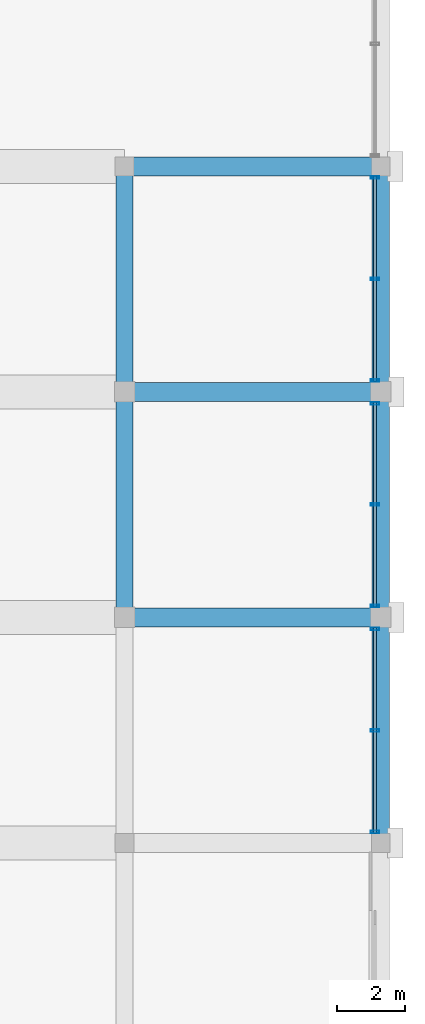
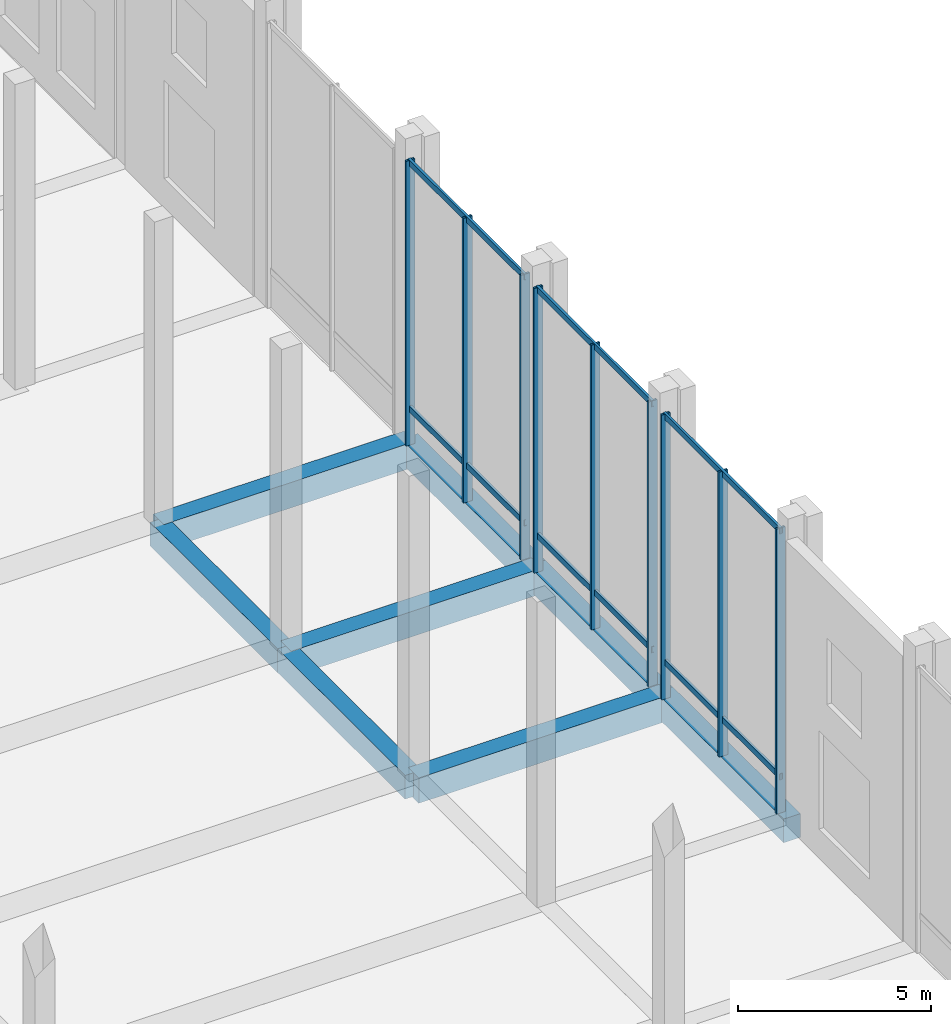
# One storey, part 49 of 80: 15 members, 8 beams, 3 elements without a shape of their own.
"""IFC4 building model written with IfcOpenShell, lengths in metres."""

import ifcopenshell
import ifcopenshell.guid

model = None  # the IFC model being written
_history = None  # IfcOwnerHistory: only IFC2X3 demands one
_inside = {}  # id of a spatial element -> (the spatial element, [elements in it])
_under = {}  # id of a project, library or spatial element -> (it, [spatial elements below it])
_declared = {}  # id of a project -> (the project, [libraries it declares])
_typed = {}  # id of a type object -> (the type object, [elements of that type])
_made_of = {}  # id of a material, layer set ... -> (it, [elements and type objects made of it])


def new_model(schema):
    """Start an empty IFC model of exactly this schema.

    Asked for "IFC4X3", IfcOpenShell would pick the latest addendum, in which some entities
    have other attributes; the version numbers below select the first issue.
    IFC2X3 requires an IfcOwnerHistory on every rooted entity: one is made here for all.
    """
    global model, _history
    if schema == "IFC4X3":
        model = ifcopenshell.file(schema_version=(4, 3, 0, 0))
    else:
        model = ifcopenshell.file(schema=schema)
    _inside.clear()
    _under.clear()
    _declared.clear()
    _typed.clear()
    _made_of.clear()
    _history = None
    if model.schema == "IFC2X3":
        org = make("IfcOrganization", Name="unknown")
        user = make(
            "IfcPersonAndOrganization",
            ThePerson=make("IfcPerson", FamilyName="unknown"),
            TheOrganization=org,
        )
        app = make(
            "IfcApplication",
            ApplicationDeveloper=org,
            Version="unknown",
            ApplicationFullName="unknown",
            ApplicationIdentifier="unknown",
        )
        _history = make(
            "IfcOwnerHistory",
            OwningUser=user,
            OwningApplication=app,
            ChangeAction="ADDED",
            CreationDate=0,
        )
    return model


def make(cls, **values):
    """One entity of the class cls with the attributes given. An attribute that is None is left unset."""
    return model.create_entity(
        cls, **{name: value for name, value in values.items() if value is not None}
    )


def rooted(cls, **values):
    """An entity with a GlobalId (a new one), such as an element, a storey or a relation."""
    return make(cls, GlobalId=ifcopenshell.guid.new(), OwnerHistory=_history, **values)


def si_unit(unit_type, name, prefix=None):
    """IfcSIUnit, for example si_unit("LENGTHUNIT", "METRE", prefix="MILLI")."""
    return make("IfcSIUnit", UnitType=unit_type, Prefix=prefix, Name=name)


def assignment(units):
    """IfcUnitAssignment: the units of a project."""
    return None if units is None else make("IfcUnitAssignment", Units=units)


def point(xyz):
    """IfcCartesianPoint."""
    return None if xyz is None else make("IfcCartesianPoint", Coordinates=xyz)


def direction(xyz):
    """IfcDirection."""
    return None if xyz is None else make("IfcDirection", DirectionRatios=xyz)


def frame(location, z_axis=None, x_axis=None):
    """IfcAxis2Placement3D, a coordinate frame: its origin and axes. An axis left out is left unset."""
    return make(
        "IfcAxis2Placement3D",
        Location=point(location),
        Axis=direction(z_axis),
        RefDirection=direction(x_axis),
    )


def frame_2d(location, x_axis=None):
    """IfcAxis2Placement2D, a coordinate frame in the plane: its origin and x axis."""
    return make(
        "IfcAxis2Placement2D", Location=point(location), RefDirection=direction(x_axis)
    )


def origin():
    """The frame at (0, 0, 0) with its axes left unset."""
    return frame((0.0, 0.0, 0.0))


def origin_2d():
    """The frame at (0, 0) in the plane with its x axis left unset."""
    return frame_2d((0.0, 0.0))


def place(relative_to, where):
    """IfcLocalPlacement: puts the frame where relative to a parent placement (None: the world)."""
    return make(
        "IfcLocalPlacement", PlacementRelTo=relative_to, RelativePlacement=where
    )


def context(
    kind, dimensions, precision=None, world=None, true_north=None, identifier=None
):
    """IfcGeometricRepresentationContext, for example the 3D "Model" context."""
    return make(
        "IfcGeometricRepresentationContext",
        ContextIdentifier=identifier,
        ContextType=kind,
        CoordinateSpaceDimension=dimensions,
        Precision=precision,
        WorldCoordinateSystem=world,
        TrueNorth=true_north,
    )


def subcontext(parent, identifier, kind, view, scale=None):
    """IfcGeometricRepresentationSubContext, for example "Body" below "Model"."""
    return make(
        "IfcGeometricRepresentationSubContext",
        ContextIdentifier=identifier,
        ContextType=kind,
        ParentContext=parent,
        TargetScale=scale,
        TargetView=view,
    )


def project(units=None, contexts=None):
    """IfcProject with its units and contexts."""
    return rooted(
        "IfcProject",
        Name="project",
        RepresentationContexts=contexts,
        UnitsInContext=assignment(units),
    )


def spatial(cls, under=None, at=None, **own):
    """A site, building, storey or space (cls), placed at a placement, below another one or the project."""
    s = rooted(cls, ObjectPlacement=at, **own)
    if under is not None:
        _under.setdefault(under.id(), (under, []))[1].append(s)
    return s


def profile(cls, at=None, kind="AREA", **sizes):
    """A parametric profile (cls). Its sizes go by their IFC names, for example OverallWidth=200.0."""
    return make(cls, ProfileType=kind, Position=at, **sizes)


def rectangle(**sizes):
    """IfcRectangleProfileDef."""
    return profile("IfcRectangleProfileDef", **sizes)


def hollow_rectangle(**sizes):
    """IfcRectangleHollowProfileDef."""
    return profile("IfcRectangleHollowProfileDef", **sizes)


def extrude(swept, where, along, depth):
    """IfcExtrudedAreaSolid: the profile swept, set in the frame where, extruded along a direction by depth."""
    return make(
        "IfcExtrudedAreaSolid",
        SweptArea=swept,
        Position=where,
        ExtrudedDirection=direction(along),
        Depth=depth,
    )


def shape(context_of_items, identifier, shape_type, items):
    """IfcShapeRepresentation: the items that make up one representation, for example the "Body"."""
    return make(
        "IfcShapeRepresentation",
        ContextOfItems=context_of_items,
        RepresentationIdentifier=identifier,
        RepresentationType=shape_type,
        Items=items,
    )


def material(Name=None, Category=None):
    """IfcMaterial."""
    return make("IfcMaterial", Name=Name, Category=Category)


def material_profile(
    of_material, cross_section, Name=None, Category=None, Priority=None
):
    """IfcMaterialProfile: a cross section and its material."""
    return make(
        "IfcMaterialProfile",
        Name=Name,
        Material=of_material,
        Profile=cross_section,
        Priority=Priority,
        Category=Category,
    )


def profile_set(profiles, Name=None, composite=None):
    """IfcMaterialProfileSet."""
    return make(
        "IfcMaterialProfileSet",
        Name=Name,
        MaterialProfiles=profiles,
        CompositeProfile=composite,
    )


def made_of(thing, what):
    """Note that an element or type object is made of a material, layer set ...; save() writes the relation."""
    if what is not None:
        _made_of.setdefault(what.id(), (what, []))[1].append(thing)
    return thing


def type_object(cls, material=None, **own):
    """A type object (cls), such as IfcWallType, which elements share."""
    return made_of(rooted(cls, **own), material)


def element(
    cls,
    number,
    at=None,
    inside=None,
    cuts=None,
    type_object=None,
    material=None,
    context=None,
    identifier="Body",
    shape_type=None,
    held_by="IfcProductDefinitionShape",
    body=None,
    shapes=None,
    **own,
):
    """One element of the class cls, such as IfcWall. Its Tag is "e" and its number.

    at: its placement. inside: the storey or other place that contains it. cuts: it is an
    opening in that element (IfcRelVoidsElement). A single representation is given by context,
    identifier, shape_type and body (its items); several are given by shapes. held_by: the class
    of the entity that holds the representations. save() writes the other relations.
    """
    e = rooted(cls, Tag="e%d" % number, ObjectPlacement=at, **own)
    if body is not None:
        shapes = [shape(context, identifier, shape_type, body)]
    if shapes is not None:
        e.Representation = make(held_by, Representations=shapes)
    if inside is not None:
        _inside.setdefault(inside.id(), (inside, []))[1].append(e)
    if cuts is not None:
        rooted(
            "IfcRelVoidsElement", RelatingBuildingElement=cuts, RelatedOpeningElement=e
        )
    if type_object is not None:
        _typed.setdefault(type_object.id(), (type_object, []))[1].append(e)
    return made_of(e, material)


def aggregate(whole, parts):
    """IfcRelAggregates: a whole, such as a stair, and the parts it consists of."""
    return rooted("IfcRelAggregates", RelatingObject=whole, RelatedObjects=parts)


def save(model, path):
    """Write the relations noted so far, then the file.

    IfcRelAggregates (storeys below a building ...), IfcRelContainedInSpatialStructure (elements
    in a storey), IfcRelDefinesByType, IfcRelAssociatesMaterial and IfcRelDeclares: one each for
    every whole, place, type object, material and project.
    """
    for whole, parts in _under.values():
        aggregate(whole, parts)
    for where, things in _inside.values():
        rooted(
            "IfcRelContainedInSpatialStructure",
            RelatedElements=things,
            RelatingStructure=where,
        )
    for kind, things in _typed.values():
        rooted("IfcRelDefinesByType", RelatedObjects=things, RelatingType=kind)
    for what, things in _made_of.values():
        rooted("IfcRelAssociatesMaterial", RelatedObjects=things, RelatingMaterial=what)
    for by, libraries in _declared.values():
        rooted("IfcRelDeclares", RelatingContext=by, RelatedDefinitions=libraries)
    model.write(path)


model = new_model("IFC4")

# Units and contexts
model_context = context("Model", 3, precision=1e-05, world=origin(), true_north=direction((0.0, 1.0)))
body_context = subcontext(model_context, "Body", "Model", "MODEL_VIEW")
ifc_project = project(units=[si_unit("LENGTHUNIT", "METRE"), si_unit("AREAUNIT", "SQUARE_METRE"), si_unit("VOLUMEUNIT", "CUBIC_METRE"), si_unit("PLANEANGLEUNIT", "RADIAN"), si_unit("MASSUNIT", "GRAM", prefix="KILO")], contexts=[model_context])

# Site, building, storey
site_placement = place(None, origin())
site = spatial("IfcSite", under=ifc_project, at=site_placement, CompositionType="ELEMENT")
building_placement = place(site_placement, origin())
building = spatial("IfcBuilding", under=site, at=building_placement, Name="Akrevak Sports Hall", CompositionType="ELEMENT")
storey_placement = place(building_placement, frame((0.0, 0.0, 14.0)))
storey = spatial("IfcBuildingStorey", under=building, at=storey_placement, Name="L03", CompositionType="ELEMENT", Elevation=14.0)

# Curtain wall, members
ifc_material_1 = material(Name="Anodized Bronze Aluminium & Low-E Glass", Category="aluminium")
curtain_wall_type = type_object("IfcCurtainWallType", Name="ARC-CW-POD-64x94", PredefinedType="NOTDEFINED", material=ifc_material_1)
curtain_wall_1_placement = place(storey_placement, origin())
curtain_wall_1 = element("IfcCurtainWall", 1, at=curtain_wall_1_placement, inside=storey, type_object=curtain_wall_type, Name="Curtain Wall CW-L03-E06", PredefinedType="NOTDEFINED")
ifc_material_2 = material(Name="Anodized Bronze Aluminium", Category="aluminium")
ifc_material_profile_1 = material_profile(ifc_material_2, hollow_rectangle(XDim=0.074951171875, YDim=0.260009765625, WallThickness=0.0048828125, at=origin_2d()), Name="CWM 75x260", Category="aluminium")
ifc_profile_set_1 = profile_set([ifc_material_profile_1], Name="Anodized Bronze Aluminium")
member_type_1 = type_object("IfcMemberType", Name="ARC-CWM-80x180", PredefinedType="MULLION", material=ifc_profile_set_1)
member_1_placement = place(storey_placement, frame((167.830078125, 35.715087890625, 0.0), z_axis=(0.0, 0.0, 1.0), x_axis=(0.0, 1.0, 0.0)))
member_1 = element("IfcMember", 2, at=member_1_placement, type_object=member_type_1, Name="Curtain Wall Mullion CW-L03-E06-M1", PredefinedType="MULLION", context=body_context, shape_type="SweptSolid", body=[
    extrude(hollow_rectangle(XDim=0.074951171875, YDim=0.260009765625, WallThickness=0.0048828125, at=origin_2d()), origin(), (0.0, 0.0, 1.0), 9.0),
])
member_2_placement = place(storey_placement, frame((167.830078125, 38.6875, 0.0), z_axis=(0.0, 0.0, 1.0), x_axis=(0.0, 1.0, 0.0)))
member_2 = element("IfcMember", 3, at=member_2_placement, type_object=member_type_1, Name="Curtain Wall Mullion CW-L03-E06-M2", PredefinedType="MULLION", context=body_context, shape_type="SweptSolid", body=[
    extrude(hollow_rectangle(XDim=0.074951171875, YDim=0.260009765625, WallThickness=0.0048828125, at=origin_2d()), origin(), (0.0, 0.0, 1.0), 9.0),
])
member_3_placement = place(storey_placement, frame((167.830078125, 41.659912109375, 0.0), z_axis=(0.0, 0.0, 1.0), x_axis=(0.0, 1.0, 0.0)))
member_3 = element("IfcMember", 4, at=member_3_placement, type_object=member_type_1, Name="Curtain Wall Mullion CW-L03-E06-M3", PredefinedType="MULLION", context=body_context, shape_type="SweptSolid", body=[
    extrude(hollow_rectangle(XDim=0.074951171875, YDim=0.260009765625, WallThickness=0.0048828125, at=origin_2d()), origin(), (0.0, 0.0, 1.0), 9.0),
])

curtain_wall_2_placement = place(storey_placement, origin())
curtain_wall_2 = element("IfcCurtainWall", 5, at=curtain_wall_2_placement, inside=storey, type_object=curtain_wall_type, Name="Curtain Wall CW-L03-E07", PredefinedType="NOTDEFINED")
member_4_placement = place(storey_placement, frame((167.830078125, 42.340087890625, 0.0), z_axis=(0.0, 0.0, 1.0), x_axis=(0.0, 1.0, 0.0)))
member_4 = element("IfcMember", 6, at=member_4_placement, type_object=member_type_1, Name="Curtain Wall Mullion CW-L03-E07-M1", PredefinedType="MULLION", context=body_context, shape_type="SweptSolid", body=[
    extrude(hollow_rectangle(XDim=0.074951171875, YDim=0.260009765625, WallThickness=0.0048828125, at=origin_2d()), origin(), (0.0, 0.0, 1.0), 9.0),
])
member_5_placement = place(storey_placement, frame((167.830078125, 45.300048828125, 0.0), z_axis=(0.0, 0.0, 1.0), x_axis=(0.0, 1.0, 0.0)))
member_5 = element("IfcMember", 7, at=member_5_placement, type_object=member_type_1, Name="Curtain Wall Mullion CW-L03-E07-M2", PredefinedType="MULLION", context=body_context, shape_type="SweptSolid", body=[
    extrude(hollow_rectangle(XDim=0.074951171875, YDim=0.260009765625, WallThickness=0.0048828125, at=origin_2d()), origin(), (0.0, 0.0, 1.0), 9.0),
])
member_6_placement = place(storey_placement, frame((167.830078125, 48.260009765625, 0.0), z_axis=(0.0, 0.0, 1.0), x_axis=(0.0, 1.0, 0.0)))
member_6 = element("IfcMember", 8, at=member_6_placement, type_object=member_type_1, Name="Curtain Wall Mullion CW-L03-E07-M3", PredefinedType="MULLION", context=body_context, shape_type="SweptSolid", body=[
    extrude(hollow_rectangle(XDim=0.074951171875, YDim=0.260009765625, WallThickness=0.0048828125, at=origin_2d()), origin(), (0.0, 0.0, 1.0), 9.0),
])

curtain_wall_3_placement = place(storey_placement, origin())
curtain_wall_3 = element("IfcCurtainWall", 9, at=curtain_wall_3_placement, inside=storey, type_object=curtain_wall_type, Name="Curtain Wall CW-L03-E08", PredefinedType="NOTDEFINED")
member_7_placement = place(storey_placement, frame((167.830078125, 48.93994140625, 0.0), z_axis=(0.0, 0.0, 1.0), x_axis=(0.0, 1.0, 0.0)))
member_7 = element("IfcMember", 10, at=member_7_placement, type_object=member_type_1, Name="Curtain Wall Mullion CW-L03-E08-M1", PredefinedType="MULLION", context=body_context, shape_type="SweptSolid", body=[
    extrude(hollow_rectangle(XDim=0.074951171875, YDim=0.260009765625, WallThickness=0.0048828125, at=origin_2d()), origin(), (0.0, 0.0, 1.0), 9.0),
])
member_8_placement = place(storey_placement, frame((167.830078125, 51.91259765625, 0.0), z_axis=(0.0, 0.0, 1.0), x_axis=(0.0, 1.0, 0.0)))
member_8 = element("IfcMember", 11, at=member_8_placement, type_object=member_type_1, Name="Curtain Wall Mullion CW-L03-E08-M2", PredefinedType="MULLION", context=body_context, shape_type="SweptSolid", body=[
    extrude(hollow_rectangle(XDim=0.074951171875, YDim=0.260009765625, WallThickness=0.0048828125, at=origin_2d()), origin(), (0.0, 0.0, 1.0), 9.0),
])
member_9_placement = place(storey_placement, frame((167.830078125, 54.885009765625, 0.0), z_axis=(0.0, 0.0, 1.0), x_axis=(0.0, 1.0, 0.0)))
member_9 = element("IfcMember", 12, at=member_9_placement, type_object=member_type_1, Name="Curtain Wall Mullion CW-L03-E08-M3", PredefinedType="MULLION", context=body_context, shape_type="SweptSolid", body=[
    extrude(hollow_rectangle(XDim=0.074951171875, YDim=0.260009765625, WallThickness=0.0048828125, at=origin_2d()), origin(), (0.0, 0.0, 1.0), 9.0),
])

# Member
ifc_material_profile_2 = material_profile(ifc_material_2, hollow_rectangle(XDim=0.074951171875, YDim=0.18994140625, WallThickness=0.00439453125, at=origin_2d()), Name="CWT 75x190", Category="aluminium")
ifc_profile_set_2 = profile_set([ifc_material_profile_2], Name="Anodized Bronze Aluminium")
member_type_2 = type_object("IfcMemberType", Name="ARC-CWT-80x150", PredefinedType="USERDEFINED", material=ifc_profile_set_2)
member_10_placement = place(storey_placement, frame((167.830078125, 35.675048828125, 1.14990234375), z_axis=(0.0, 1.0, 0.0), x_axis=(-1.0, 0.0, 0.0)))
member_10 = element("IfcMember", 13, at=member_10_placement, type_object=member_type_2, Name="Curtain Wall Transom CW-L03-E06-T1", ObjectType="TRANSOM", PredefinedType="USERDEFINED", context=body_context, shape_type="SweptSolid", body=[
    extrude(hollow_rectangle(XDim=0.074951171875, YDim=0.18994140625, WallThickness=0.00439453125, at=origin_2d()), origin(), (0.0, 0.0, 1.0), 6.02490234375),
])

member_11_placement = place(storey_placement, frame((167.830078125, 35.675048828125, 8.919921875), z_axis=(0.0, 1.0, 0.0), x_axis=(-1.0, 0.0, 0.0)))
member_11 = element("IfcMember", 14, at=member_11_placement, type_object=member_type_2, Name="Curtain Wall Transom CW-L03-E06-T2", ObjectType="TRANSOM", PredefinedType="USERDEFINED", context=body_context, shape_type="SweptSolid", body=[
    extrude(hollow_rectangle(XDim=0.074951171875, YDim=0.18994140625, WallThickness=0.00439453125, at=origin_2d()), origin(), (0.0, 0.0, 1.0), 6.02490234375),
])

aggregate(curtain_wall_1, [member_1, member_2, member_3, member_10, member_11])

member_12_placement = place(storey_placement, frame((167.830078125, 42.300048828125, 1.14990234375), z_axis=(0.0, 1.0, 0.0), x_axis=(-1.0, 0.0, 0.0)))
member_12 = element("IfcMember", 15, at=member_12_placement, type_object=member_type_2, Name="Curtain Wall Transom CW-L03-E07-T1", ObjectType="TRANSOM", PredefinedType="USERDEFINED", context=body_context, shape_type="SweptSolid", body=[
    extrude(hollow_rectangle(XDim=0.074951171875, YDim=0.18994140625, WallThickness=0.00439453125, at=origin_2d()), origin(), (0.0, 0.0, 1.0), 6.0),
])

member_13_placement = place(storey_placement, frame((167.830078125, 42.300048828125, 8.919921875), z_axis=(0.0, 1.0, 0.0), x_axis=(-1.0, 0.0, 0.0)))
member_13 = element("IfcMember", 16, at=member_13_placement, type_object=member_type_2, Name="Curtain Wall Transom CW-L03-E07-T2", ObjectType="TRANSOM", PredefinedType="USERDEFINED", context=body_context, shape_type="SweptSolid", body=[
    extrude(hollow_rectangle(XDim=0.074951171875, YDim=0.18994140625, WallThickness=0.00439453125, at=origin_2d()), origin(), (0.0, 0.0, 1.0), 6.0),
])

aggregate(curtain_wall_2, [member_4, member_5, member_6, member_12, member_13])

member_14_placement = place(storey_placement, frame((167.830078125, 48.89990234375, 1.14990234375), z_axis=(0.0, 1.0, 0.0), x_axis=(-1.0, 0.0, 0.0)))
member_14 = element("IfcMember", 17, at=member_14_placement, type_object=member_type_2, Name="Curtain Wall Transom CW-L03-E08-T1", ObjectType="TRANSOM", PredefinedType="USERDEFINED", context=body_context, shape_type="SweptSolid", body=[
    extrude(hollow_rectangle(XDim=0.074951171875, YDim=0.18994140625, WallThickness=0.00439453125, at=origin_2d()), origin(), (0.0, 0.0, 1.0), 6.025146484375),
])

member_15_placement = place(storey_placement, frame((167.830078125, 48.89990234375, 8.919921875), z_axis=(0.0, 1.0, 0.0), x_axis=(-1.0, 0.0, 0.0)))
member_15 = element("IfcMember", 18, at=member_15_placement, type_object=member_type_2, Name="Curtain Wall Transom CW-L03-E08-T2", ObjectType="TRANSOM", PredefinedType="USERDEFINED", context=body_context, shape_type="SweptSolid", body=[
    extrude(hollow_rectangle(XDim=0.074951171875, YDim=0.18994140625, WallThickness=0.00439453125, at=origin_2d()), origin(), (0.0, 0.0, 1.0), 6.025146484375),
])

aggregate(curtain_wall_3, [member_7, member_8, member_9, member_14, member_15])

# Beams
ifc_material_3 = material(Name="Concrete C40/50", Category="concrete")
ifc_material_profile_3 = material_profile(ifc_material_3, rectangle(XDim=0.5, YDim=0.75, at=origin_2d()), Name="BM 500x750", Category="concrete")
ifc_profile_set_3 = profile_set([ifc_material_profile_3], Name="Concrete C40/50")
beam_type_1 = type_object("IfcBeamType", Name="STR-BM-RC500x750", PredefinedType="BEAM", material=ifc_profile_set_3)
beam_1_placement = place(storey_placement, frame((160.5, 42.0, -0.375), z_axis=(0.0, 1.0, 0.0), x_axis=(-1.0, 0.0, 0.0)))
element("IfcBeam", 19, at=beam_1_placement, inside=storey, type_object=beam_type_1, Name="Girder 22/G-H (L03)", PredefinedType="BEAM", context=body_context, shape_type="SweptSolid", body=[
    extrude(rectangle(XDim=0.5, YDim=0.75, at=origin_2d()), origin(), (0.0, 0.0, 1.0), 6.60009765625),
])
beam_2_placement = place(storey_placement, frame((160.5, 48.60009765625, -0.375), z_axis=(0.0, 1.0, 0.0), x_axis=(-1.0, 0.0, 0.0)))
element("IfcBeam", 20, at=beam_2_placement, inside=storey, type_object=beam_type_1, Name="Girder 22/H-I (L03)", PredefinedType="BEAM", context=body_context, shape_type="SweptSolid", body=[
    extrude(rectangle(XDim=0.5, YDim=0.75, at=origin_2d()), origin(), (0.0, 0.0, 1.0), 6.599853515625),
])
for number, where, z_axis, x_axis, name in (
    (21, (168.0, 35.39990234375, -0.375), (0.0, 1.0, 0.0), (-1.0, 0.0, 0.0), "Girder 23/F-G (L03)"),
    (22, (168.0, 42.0, -0.375), (0.0, 1.0, 0.0), (-1.0, 0.0, 0.0), "Girder 23/G-H (L03)"),
):
    element("IfcBeam", number, at=place(storey_placement, frame(where, z_axis=z_axis, x_axis=x_axis)), inside=storey, type_object=beam_type_1, Name=name, PredefinedType="BEAM", context=body_context, shape_type="SweptSolid", body=[
        extrude(rectangle(XDim=0.5, YDim=0.75, at=origin_2d()), origin(), (0.0, 0.0, 1.0), 6.60009765625),
    ])
beam_3_placement = place(storey_placement, frame((168.0, 48.60009765625, -0.375), z_axis=(0.0, 1.0, 0.0), x_axis=(-1.0, 0.0, 0.0)))
element("IfcBeam", 23, at=beam_3_placement, inside=storey, type_object=beam_type_1, Name="Girder 23/H-I (L03)", PredefinedType="BEAM", context=body_context, shape_type="SweptSolid", body=[
    extrude(rectangle(XDim=0.5, YDim=0.75, at=origin_2d()), origin(), (0.0, 0.0, 1.0), 6.599853515625),
])
ifc_material_profile_4 = material_profile(ifc_material_3, rectangle(XDim=0.550048828125, YDim=0.800048828125, at=origin_2d()), Name="BM 550x800", Category="concrete")
ifc_profile_set_4 = profile_set([ifc_material_profile_4], Name="Concrete C40/50")
beam_type_2 = type_object("IfcBeamType", Name="STR-BM-RC550x800", PredefinedType="BEAM", material=ifc_profile_set_4)
for number, where, z_axis, x_axis, name in (
    (24, (160.5, 42.0, -0.39990234375), (1.0, 0.0, 0.0), (0.0, 1.0, 0.0), "Girder G/22-23 (L03)"),
    (25, (160.5, 48.60009765625, -0.39990234375), (1.0, 0.0, 0.0), (0.0, 1.0, 0.0), "Girder H/22-23 (L03)"),
    (26, (160.5, 55.199951171875, -0.39990234375), (1.0, 0.0, 0.0), (0.0, 1.0, 0.0), "Girder I/22-23 (L03)"),
):
    element("IfcBeam", number, at=place(storey_placement, frame(where, z_axis=z_axis, x_axis=x_axis)), inside=storey, type_object=beam_type_2, Name=name, PredefinedType="BEAM", context=body_context, shape_type="SweptSolid", body=[
        extrude(rectangle(XDim=0.550048828125, YDim=0.800048828125, at=origin_2d()), origin(), (0.0, 0.0, 1.0), 7.5),
    ])

save(model, "model.ifc")
